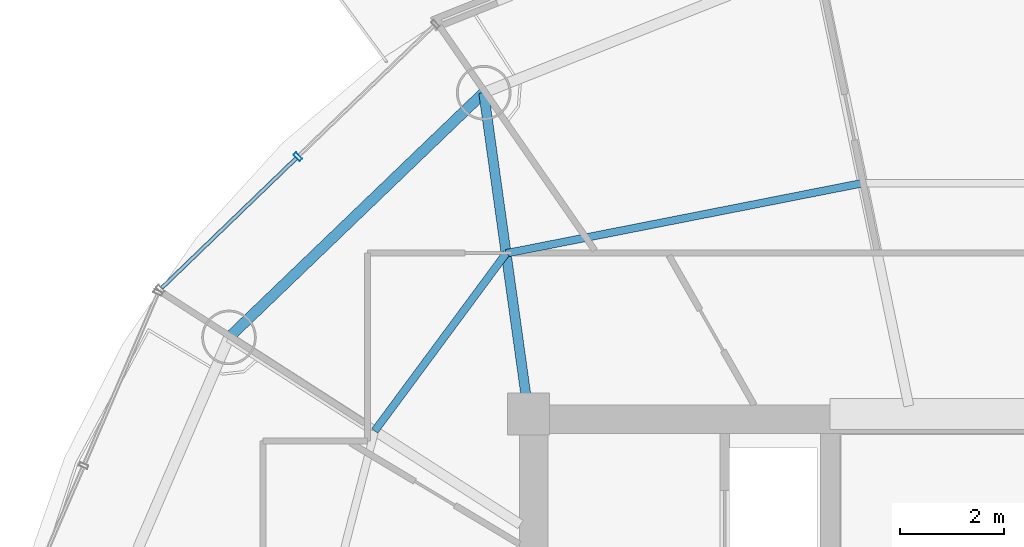
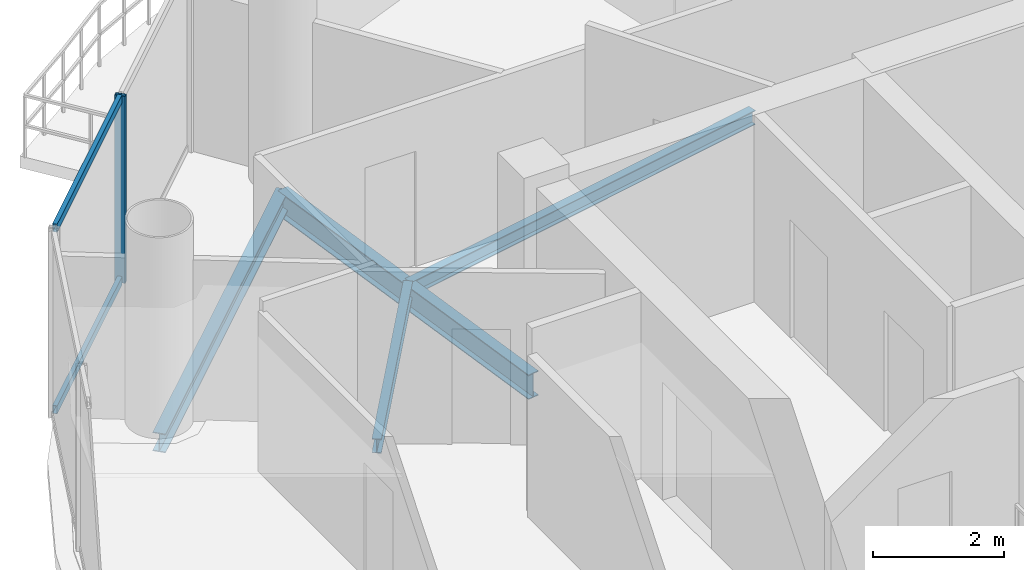
# One storey, part 9 of 24: 4 beams, 3 members, 1 element without a shape of its own.
"""IFC4 building model written with IfcOpenShell, lengths in metres."""

from ifc_helpers import new_model, si_unit, direction, frame, origin, origin_2d, place, context, subcontext, project, spatial, hollow_rectangle, i_section, extrude, source, transform, mapped, material, material_profile, profile_set, type_object, element, aggregate, save


model = new_model("IFC4")

# Units and contexts
model_context = context("Model", 3, precision=1e-05, world=origin(), true_north=direction((-0.2419218956, 0.970295726276)))
body_context = subcontext(model_context, "Body", "Model", "MODEL_VIEW")
ifc_project = project(units=[si_unit("LENGTHUNIT", "METRE"), si_unit("AREAUNIT", "SQUARE_METRE"), si_unit("VOLUMEUNIT", "CUBIC_METRE"), si_unit("PLANEANGLEUNIT", "RADIAN"), si_unit("MASSUNIT", "GRAM", prefix="KILO")], contexts=[model_context])

# Site, building, storey
site_placement = place(None, origin())
site = spatial("IfcSite", under=ifc_project, at=site_placement, CompositionType="ELEMENT")
building_placement = place(site_placement, origin())
building = spatial("IfcBuilding", under=site, at=building_placement, Name="Cobrevalo Terracotta Tower", CompositionType="ELEMENT")
storey_placement = place(building_placement, frame((0.0, 0.0, 293.199951171875)))
storey = spatial("IfcBuildingStorey", under=building, at=storey_placement, Name="L77", CompositionType="ELEMENT", Elevation=293.199951171875)

# Beams
ifc_material_1 = material(Name="Steel S355", Category="steel")
ifc_material_profile_1 = material_profile(ifc_material_1, i_section(OverallWidth=0.19091796875, OverallDepth=0.4599609375, WebThickness=0.010009765625, FlangeThickness=0.01611328125, at=origin_2d()), Name="W 460x82")
ifc_profile_set_1 = profile_set([ifc_material_profile_1], Name="Steel S355")
beam_type_1 = type_object("IfcBeamType", Name="Structural Beam W 460x82 (Steel S355)", PredefinedType="BEAM", material=ifc_profile_set_1)
beam_1_placement = place(storey_placement, frame((28.138671875, 40.9765625, -0.489990234375), z_axis=(0.138115657759, -0.990416107039, 0.0), x_axis=(0.990416107039, 0.138115657759, 0.0)))
element("IfcBeam", 1, at=beam_1_placement, inside=storey, type_object=beam_type_1, Name="L77 radial floor girder 06", PredefinedType="BEAM", context=body_context, shape_type="SweptSolid", body=[
    extrude(i_section(OverallWidth=0.19091796875, OverallDepth=0.4599609375, WebThickness=0.010009765625, FlangeThickness=0.01611328125, at=origin_2d()), origin(), (0.0, 0.0, 1.0), 6.236328125),
])
ifc_material_profile_2 = material_profile(ifc_material_1, i_section(OverallWidth=0.14794921875, OverallDepth=0.26611328125, WebThickness=0.007568359375, FlangeThickness=0.012939453125, at=origin_2d()), Name="W 250x44.8")
ifc_profile_set_2 = profile_set([ifc_material_profile_2], Name="Steel S355")
beam_type_2 = type_object("IfcBeamType", Name="Structural Joist W 250x44.8 (Steel S355)", PredefinedType="JOIST", material=ifc_profile_set_2)
beam_2_placement = place(storey_placement, frame((35.42431640625, 39.23876953125, -0.39306640625), z_axis=(-0.98113843359, -0.19330642548, 0.0), x_axis=(0.19330642548, -0.98113843359, 0.0)))
element("IfcBeam", 2, at=beam_2_placement, inside=storey, type_object=beam_type_2, Name="L77 circumferential secondary floor joist 05", PredefinedType="JOIST", context=body_context, shape_type="SweptSolid", body=[
    extrude(i_section(OverallWidth=0.14794921875, OverallDepth=0.26611328125, WebThickness=0.007568359375, FlangeThickness=0.012939453125, at=origin_2d()), origin(), (0.0, 0.0, 1.0), 6.98681640625),
])
beam_3_placement = place(storey_placement, frame((28.5693359375, 37.88818359375, -0.39306640625), z_axis=(-0.594799916617, -0.803873783123, 0.0), x_axis=(0.803873783123, -0.594799916617, 0.0)))
element("IfcBeam", 3, at=beam_3_placement, inside=storey, type_object=beam_type_2, Name="L77 circumferential secondary floor joist 06", PredefinedType="JOIST", context=body_context, shape_type="SweptSolid", body=[
    extrude(i_section(OverallWidth=0.14794921875, OverallDepth=0.26611328125, WebThickness=0.007568359375, FlangeThickness=0.012939453125, at=origin_2d()), origin(), (0.0, 0.0, 1.0), 4.2470703125),
])
ifc_material_profile_3 = material_profile(ifc_material_1, i_section(OverallWidth=0.205078125, OverallDepth=0.35400390625, WebThickness=0.009521484375, FlangeThickness=0.016845703125, at=origin_2d()), Name="W 360x79")
ifc_profile_set_3 = profile_set([ifc_material_profile_3], Name="Steel S355")
beam_type_3 = type_object("IfcBeamType", Name="Structural Spandrel W 360x79 (Steel S355)", PredefinedType="SPANDREL", material=ifc_profile_set_3)
beam_4_placement = place(storey_placement, frame((28.138671875, 40.9765625, -0.43701171875), z_axis=(-0.721183246144, -0.692744343522, 0.0), x_axis=(0.692744343522, -0.721183246144, 0.0)))
element("IfcBeam", 4, at=beam_4_placement, inside=storey, type_object=beam_type_3, Name="L77 perimeter ring spandrel 06", PredefinedType="SPANDREL", context=body_context, shape_type="SweptSolid", body=[
    extrude(i_section(OverallWidth=0.205078125, OverallDepth=0.35400390625, WebThickness=0.009521484375, FlangeThickness=0.016845703125, at=origin_2d()), origin(), (0.0, 0.0, 1.0), 6.79052734375),
])

# Curtain wall, members
ifc_material_2 = material(Name="Anodized aluminium", Category="aluminium")
curtain_wall_type = type_object("IfcCurtainWallType", Name="Upper-tower triple-glazed penthouse curtain wall CW-U3", PredefinedType="NOTDEFINED", material=ifc_material_2)
curtain_wall_placement = place(storey_placement, origin())
curtain_wall = element("IfcCurtainWall", 5, at=curtain_wall_placement, inside=storey, type_object=curtain_wall_type, Name="L77 curtain wall CW-L77-S06", PredefinedType="NOTDEFINED")
ifc_material_profile_4 = material_profile(ifc_material_2, hollow_rectangle(XDim=0.070068359375, YDim=0.169921875, WallThickness=0.00439453125, at=origin_2d()), Name="CWM 70x170")
ifc_profile_set_4 = profile_set([ifc_material_profile_4], Name="Anodized aluminium")
member_type_1 = type_object("IfcMemberType", Name="Upper tower unitised mullion 70x170", PredefinedType="MULLION", material=ifc_profile_set_4)
shared_shape_1 = source(origin(), body_context, "Body", "SweptSolid", [
    extrude(hollow_rectangle(XDim=0.070068359375, YDim=0.169921875, WallThickness=0.00439453125, at=origin_2d()), origin(), (0.0, 0.0, 1.0), 3.489990234375),
])
member_1_placement = place(storey_placement, frame((24.56640625, 39.748046875, 0.0), z_axis=(0.0, 0.0, 1.0), x_axis=(-0.71999418085, -0.69398010025, 0.0)))
member_1 = element("IfcMember", 6, at=member_1_placement, type_object=member_type_1, Name="CW-L77-S06 vertical mullion 02", PredefinedType="MULLION", context=body_context, shape_type="MappedRepresentation", body=[
    mapped(shared_shape_1, transform((0.0, 0.0, 0.0), scale=1.0)),
])
ifc_material_profile_5 = material_profile(ifc_material_2, hollow_rectangle(XDim=0.074951171875, YDim=0.14990234375, WallThickness=0.00439453125, at=origin_2d()), Name="CWT 75x150")
ifc_profile_set_5 = profile_set([ifc_material_profile_5], Name="Anodized aluminium")
member_type_2 = type_object("IfcMemberType", Name="Tower unitised aluminium transom 75x150", PredefinedType="USERDEFINED", material=ifc_profile_set_5)
shared_shape_2 = source(origin(), body_context, "Body", "SweptSolid", [
    extrude(hollow_rectangle(XDim=0.074951171875, YDim=0.14990234375, WallThickness=0.00439453125, at=origin_2d()), origin(), (0.0, 0.0, 1.0), 3.59130859375),
])
member_2_placement = place(storey_placement, frame((24.537841796875, 39.72021484375, 0.050048828125), z_axis=(-0.720005628362, -0.693968223427, 0.0), x_axis=(0.693968223427, -0.720005628362, 0.0)))
member_2 = element("IfcMember", 7, at=member_2_placement, type_object=member_type_2, Name="CW-L77-S06 transom B02-T1", ObjectType="TRANSOM", PredefinedType="USERDEFINED", context=body_context, shape_type="MappedRepresentation", body=[
    mapped(shared_shape_2, transform((0.0, 0.0, 0.0), scale=1.0)),
])
member_3_placement = place(storey_placement, frame((24.537841796875, 39.72021484375, 3.43994140625), z_axis=(-0.720005628362, -0.693968223427, 0.0), x_axis=(0.693968223427, -0.720005628362, 0.0)))
member_3 = element("IfcMember", 8, at=member_3_placement, type_object=member_type_2, Name="CW-L77-S06 transom B02-T2", ObjectType="TRANSOM", PredefinedType="USERDEFINED", context=body_context, shape_type="MappedRepresentation", body=[
    mapped(shared_shape_2, transform((0.0, 0.0, 0.0), scale=1.0)),
])
aggregate(curtain_wall, [member_1, member_2, member_3])

save(model, "model.ifc")
